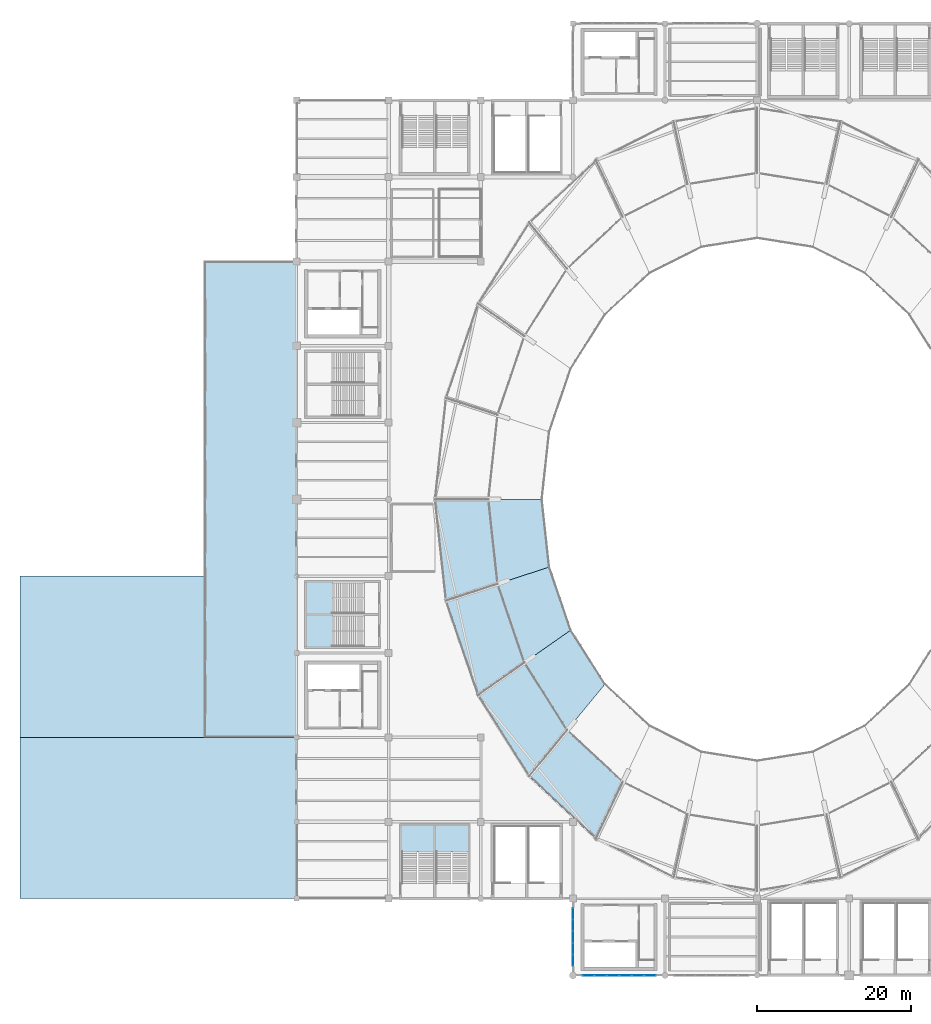
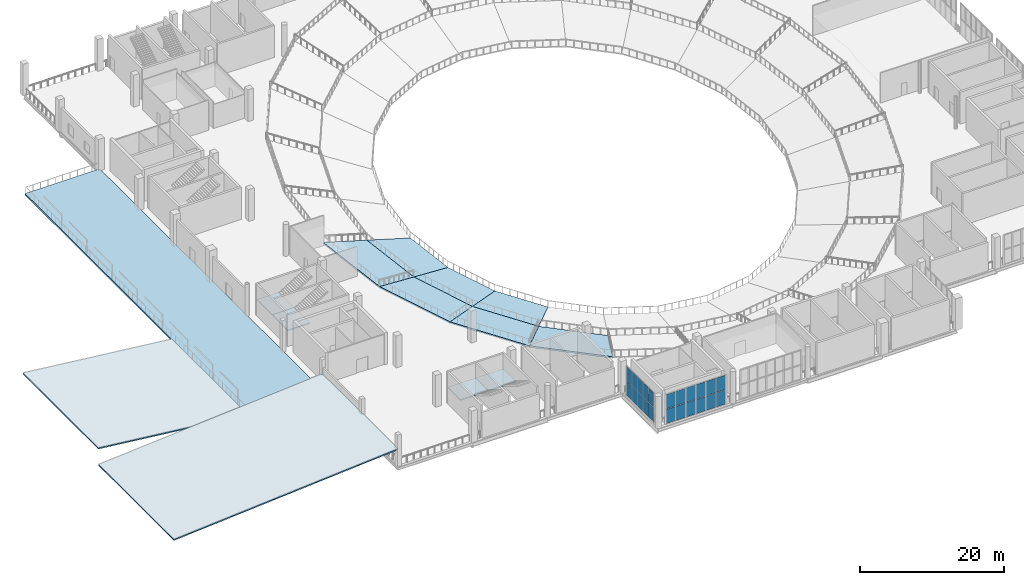
# One storey, part 43 of 74: 22 plates, 14 slabs, 6 elements without a shape of their own.
"""IFC4 building model written with IfcOpenShell, lengths in metres."""

from ifc_helpers import new_model, si_unit, direction, frame, origin, origin_2d, place, context, subcontext, project, spatial, polyline, rectangle, outline, extrude, material, layer, layer_set, type_object, element, aggregate, save


model = new_model("IFC4")

# Units and contexts
model_context = context("Model", 3, precision=1e-05, world=origin(), true_north=direction((0.0, 1.0)))
body_context = subcontext(model_context, "Body", "Model", "MODEL_VIEW")
ifc_project = project(units=[si_unit("LENGTHUNIT", "METRE"), si_unit("AREAUNIT", "SQUARE_METRE"), si_unit("VOLUMEUNIT", "CUBIC_METRE"), si_unit("PLANEANGLEUNIT", "RADIAN"), si_unit("MASSUNIT", "GRAM", prefix="KILO")], contexts=[model_context])

# Site, building, storey
site_placement = place(None, origin())
site = spatial("IfcSite", under=ifc_project, at=site_placement, CompositionType="ELEMENT")
building_placement = place(site_placement, origin())
building = spatial("IfcBuilding", under=site, at=building_placement, Name="Brinegate Civic Arena", CompositionType="ELEMENT")
storey_placement = place(building_placement, frame((0.0, 0.0, 19.199951171875)))
storey = spatial("IfcBuildingStorey", under=building, at=storey_placement, Name="L04", CompositionType="ELEMENT", Elevation=19.199951171875)

# Curtain wall, plates
ifc_material_1 = material(Name="Marine grade aluminium", Category="aluminium")
ifc_layer_1 = layer(ifc_material_1, 0.25, Name="Marine grade aluminium")
ifc_layer_set_1 = layer_set([ifc_layer_1], Name="Marine grade aluminium")
curtain_wall_type = type_object("IfcCurtainWallType", Name="CW-PORTAL-SOUTH-02", PredefinedType="USERDEFINED", material=ifc_layer_set_1)
curtain_wall_1_placement = place(storey_placement, origin())
curtain_wall_1 = element("IfcCurtainWall", 1, at=curtain_wall_1_placement, inside=storey, type_object=curtain_wall_type, Name="Curtain Wall CWA-150", ObjectType="PORTAL CURTAIN WALL", PredefinedType="USERDEFINED")
ifc_material_2 = material(Name="Hurricane laminated low-E glass", Category="glass")
ifc_layer_2 = layer(ifc_material_2, 0.028076171875, Name="Hurricane laminated low-E glass")
ifc_layer_set_2 = layer_set([ifc_layer_2], Name="Hurricane laminated low-E glass")
plate_type_1 = type_object("IfcPlateType", Name="CW-PANEL-GLAZED-28", PredefinedType="CURTAIN_PANEL", material=ifc_layer_set_2)
plate_1_placement = place(storey_placement, frame((84.0, 1.965087890625, 0.06494140625), z_axis=(0.0, 0.0, 1.0), x_axis=(0.0, 1.0, 0.0)))
plate_1 = element("IfcPlate", 2, at=plate_1_placement, type_object=plate_type_1, Name="CWA-150 panel 1.1", PredefinedType="CURTAIN_PANEL", context=body_context, shape_type="SweptSolid", body=[
    extrude(rectangle(XDim=1.427978515625, YDim=0.028076171875, at=origin_2d()), origin(), (0.0, 0.0, 1.0), 2.4375),
])
plate_2_placement = place(storey_placement, frame((84.0, 1.965087890625, 2.567626953125), z_axis=(0.0, 0.0, 1.0), x_axis=(0.0, 1.0, 0.0)))
plate_2 = element("IfcPlate", 3, at=plate_2_placement, type_object=plate_type_1, Name="CWA-150 panel 1.2", PredefinedType="CURTAIN_PANEL", context=body_context, shape_type="SweptSolid", body=[
    extrude(rectangle(XDim=1.427978515625, YDim=0.028076171875, at=origin_2d()), origin(), (0.0, 0.0, 1.0), 2.4375),
])
plate_3_placement = place(storey_placement, frame((84.0, 3.474365234375, 0.06494140625), z_axis=(0.0, 0.0, 1.0), x_axis=(0.0, 1.0, 0.0)))
plate_3 = element("IfcPlate", 4, at=plate_3_placement, type_object=plate_type_1, Name="CWA-150 panel 2.1", PredefinedType="CURTAIN_PANEL", context=body_context, shape_type="SweptSolid", body=[
    extrude(rectangle(XDim=1.460693359375, YDim=0.028076171875, at=origin_2d()), origin(), (0.0, 0.0, 1.0), 2.4375),
])
plate_4_placement = place(storey_placement, frame((84.0, 3.474365234375, 2.567626953125), z_axis=(0.0, 0.0, 1.0), x_axis=(0.0, 1.0, 0.0)))
plate_4 = element("IfcPlate", 5, at=plate_4_placement, type_object=plate_type_1, Name="CWA-150 panel 2.2", PredefinedType="CURTAIN_PANEL", context=body_context, shape_type="SweptSolid", body=[
    extrude(rectangle(XDim=1.460693359375, YDim=0.028076171875, at=origin_2d()), origin(), (0.0, 0.0, 1.0), 2.4375),
])
plate_5_placement = place(storey_placement, frame((84.0, 5.0, 0.06494140625), z_axis=(0.0, 0.0, 1.0), x_axis=(0.0, 1.0, 0.0)))
plate_5 = element("IfcPlate", 6, at=plate_5_placement, type_object=plate_type_1, Name="CWA-150 panel 3.1", PredefinedType="CURTAIN_PANEL", context=body_context, shape_type="SweptSolid", body=[
    extrude(rectangle(XDim=1.460693359375, YDim=0.028076171875, at=origin_2d()), origin(), (0.0, 0.0, 1.0), 2.4375),
])
plate_6_placement = place(storey_placement, frame((84.0, 5.0, 2.567626953125), z_axis=(0.0, 0.0, 1.0), x_axis=(0.0, 1.0, 0.0)))
plate_6 = element("IfcPlate", 7, at=plate_6_placement, type_object=plate_type_1, Name="CWA-150 panel 3.2", PredefinedType="CURTAIN_PANEL", context=body_context, shape_type="SweptSolid", body=[
    extrude(rectangle(XDim=1.460693359375, YDim=0.028076171875, at=origin_2d()), origin(), (0.0, 0.0, 1.0), 2.4375),
])
plate_7_placement = place(storey_placement, frame((84.0, 6.525634765625, 0.06494140625), z_axis=(0.0, 0.0, 1.0), x_axis=(0.0, 1.0, 0.0)))
plate_7 = element("IfcPlate", 8, at=plate_7_placement, type_object=plate_type_1, Name="CWA-150 panel 4.1", PredefinedType="CURTAIN_PANEL", context=body_context, shape_type="SweptSolid", body=[
    extrude(rectangle(XDim=1.460693359375, YDim=0.028076171875, at=origin_2d()), origin(), (0.0, 0.0, 1.0), 2.4375),
])
plate_8_placement = place(storey_placement, frame((84.0, 6.525634765625, 2.567626953125), z_axis=(0.0, 0.0, 1.0), x_axis=(0.0, 1.0, 0.0)))
plate_8 = element("IfcPlate", 9, at=plate_8_placement, type_object=plate_type_1, Name="CWA-150 panel 4.2", PredefinedType="CURTAIN_PANEL", context=body_context, shape_type="SweptSolid", body=[
    extrude(rectangle(XDim=1.460693359375, YDim=0.028076171875, at=origin_2d()), origin(), (0.0, 0.0, 1.0), 2.4375),
])
plate_9_placement = place(storey_placement, frame((84.0, 8.034912109375, 0.06494140625), z_axis=(0.0, 0.0, 1.0), x_axis=(0.0, 1.0, 0.0)))
plate_9 = element("IfcPlate", 10, at=plate_9_placement, type_object=plate_type_1, Name="CWA-150 panel 5.1", PredefinedType="CURTAIN_PANEL", context=body_context, shape_type="SweptSolid", body=[
    extrude(rectangle(XDim=1.427978515625, YDim=0.028076171875, at=origin_2d()), origin(), (0.0, 0.0, 1.0), 2.4375),
])
plate_10_placement = place(storey_placement, frame((84.0, 8.034912109375, 2.567626953125), z_axis=(0.0, 0.0, 1.0), x_axis=(0.0, 1.0, 0.0)))
plate_10 = element("IfcPlate", 11, at=plate_10_placement, type_object=plate_type_1, Name="CWA-150 panel 5.2", PredefinedType="CURTAIN_PANEL", context=body_context, shape_type="SweptSolid", body=[
    extrude(rectangle(XDim=1.427978515625, YDim=0.028076171875, at=origin_2d()), origin(), (0.0, 0.0, 1.0), 2.4375),
])
aggregate(curtain_wall_1, [plate_1, plate_2, plate_3, plate_4, plate_5, plate_6, plate_7, plate_8, plate_9, plate_10])

curtain_wall_2_placement = place(storey_placement, origin())
curtain_wall_2 = element("IfcCurtainWall", 12, at=curtain_wall_2_placement, inside=storey, type_object=curtain_wall_type, Name="Curtain Wall CWA-145", ObjectType="PORTAL CURTAIN WALL", PredefinedType="USERDEFINED")
ifc_layer_3 = layer(ifc_material_2, 0.0419921875, Name="Hurricane laminated low-E glass")
ifc_layer_set_3 = layer_set([ifc_layer_3], Name="Hurricane laminated low-E glass")
plate_type_2 = type_object("IfcPlateType", Name="CW-PANEL-SPANDREL-42", PredefinedType="CURTAIN_PANEL", material=ifc_layer_set_3)
plate_11_placement = place(storey_placement, frame((86.01416015625, 0.0, 0.06494140625), z_axis=(0.0, 0.0, 1.0), x_axis=(1.0, 0.0, 0.0)))
plate_11 = element("IfcPlate", 13, at=plate_11_placement, type_object=plate_type_2, Name="CWA-145 panel 1.1", PredefinedType="CURTAIN_PANEL", context=body_context, shape_type="SweptSolid", body=[
    extrude(rectangle(XDim=1.496337890625, YDim=0.0419921875, at=origin_2d()), origin(), (0.0, 0.0, 1.0), 2.4375),
])
plate_12_placement = place(storey_placement, frame((86.01416015625, 0.0, 2.567626953125), z_axis=(0.0, 0.0, 1.0), x_axis=(1.0, 0.0, 0.0)))
plate_12 = element("IfcPlate", 14, at=plate_12_placement, type_object=plate_type_2, Name="CWA-145 panel 1.2", PredefinedType="CURTAIN_PANEL", context=body_context, shape_type="SweptSolid", body=[
    extrude(rectangle(XDim=1.496337890625, YDim=0.0419921875, at=origin_2d()), origin(), (0.0, 0.0, 1.0), 2.4375),
])
plate_13_placement = place(storey_placement, frame((87.610595703125, 0.0, 0.06494140625), z_axis=(0.0, 0.0, 1.0), x_axis=(1.0, 0.0, 0.0)))
plate_13 = element("IfcPlate", 15, at=plate_13_placement, type_object=plate_type_2, Name="CWA-145 panel 2.1", PredefinedType="CURTAIN_PANEL", context=body_context, shape_type="SweptSolid", body=[
    extrude(rectangle(XDim=1.536376953125, YDim=0.0419921875, at=origin_2d()), origin(), (0.0, 0.0, 1.0), 2.4375),
])
plate_14_placement = place(storey_placement, frame((87.610595703125, 0.0, 2.567626953125), z_axis=(0.0, 0.0, 1.0), x_axis=(1.0, 0.0, 0.0)))
plate_14 = element("IfcPlate", 16, at=plate_14_placement, type_object=plate_type_2, Name="CWA-145 panel 2.2", PredefinedType="CURTAIN_PANEL", context=body_context, shape_type="SweptSolid", body=[
    extrude(rectangle(XDim=1.536376953125, YDim=0.0419921875, at=origin_2d()), origin(), (0.0, 0.0, 1.0), 2.4375),
])
plate_15_placement = place(storey_placement, frame((89.226806640625, 0.0, 0.06494140625), z_axis=(0.0, 0.0, 1.0), x_axis=(1.0, 0.0, 0.0)))
plate_15 = element("IfcPlate", 17, at=plate_15_placement, type_object=plate_type_2, Name="CWA-145 panel 3.1", PredefinedType="CURTAIN_PANEL", context=body_context, shape_type="SweptSolid", body=[
    extrude(rectangle(XDim=1.536376953125, YDim=0.0419921875, at=origin_2d()), origin(), (0.0, 0.0, 1.0), 2.4375),
])
plate_16_placement = place(storey_placement, frame((89.226806640625, 0.0, 2.567626953125), z_axis=(0.0, 0.0, 1.0), x_axis=(1.0, 0.0, 0.0)))
plate_16 = element("IfcPlate", 18, at=plate_16_placement, type_object=plate_type_2, Name="CWA-145 panel 3.2", PredefinedType="CURTAIN_PANEL", context=body_context, shape_type="SweptSolid", body=[
    extrude(rectangle(XDim=1.536376953125, YDim=0.0419921875, at=origin_2d()), origin(), (0.0, 0.0, 1.0), 2.4375),
])
plate_17_placement = place(storey_placement, frame((90.84326171875, 0.0, 0.06494140625), z_axis=(0.0, 0.0, 1.0), x_axis=(1.0, 0.0, 0.0)))
plate_17 = element("IfcPlate", 19, at=plate_17_placement, type_object=plate_type_2, Name="CWA-145 panel 4.1", PredefinedType="CURTAIN_PANEL", context=body_context, shape_type="SweptSolid", body=[
    extrude(rectangle(XDim=1.536376953125, YDim=0.0419921875, at=origin_2d()), origin(), (0.0, 0.0, 1.0), 2.4375),
])
plate_18_placement = place(storey_placement, frame((90.84326171875, 0.0, 2.567626953125), z_axis=(0.0, 0.0, 1.0), x_axis=(1.0, 0.0, 0.0)))
plate_18 = element("IfcPlate", 20, at=plate_18_placement, type_object=plate_type_2, Name="CWA-145 panel 4.2", PredefinedType="CURTAIN_PANEL", context=body_context, shape_type="SweptSolid", body=[
    extrude(rectangle(XDim=1.536376953125, YDim=0.0419921875, at=origin_2d()), origin(), (0.0, 0.0, 1.0), 2.4375),
])
plate_19_placement = place(storey_placement, frame((92.45947265625, 0.0, 0.06494140625), z_axis=(0.0, 0.0, 1.0), x_axis=(1.0, 0.0, 0.0)))
plate_19 = element("IfcPlate", 21, at=plate_19_placement, type_object=plate_type_2, Name="CWA-145 panel 5.1", PredefinedType="CURTAIN_PANEL", context=body_context, shape_type="SweptSolid", body=[
    extrude(rectangle(XDim=1.536376953125, YDim=0.0419921875, at=origin_2d()), origin(), (0.0, 0.0, 1.0), 2.4375),
])
plate_20_placement = place(storey_placement, frame((92.45947265625, 0.0, 2.567626953125), z_axis=(0.0, 0.0, 1.0), x_axis=(1.0, 0.0, 0.0)))
plate_20 = element("IfcPlate", 22, at=plate_20_placement, type_object=plate_type_2, Name="CWA-145 panel 5.2", PredefinedType="CURTAIN_PANEL", context=body_context, shape_type="SweptSolid", body=[
    extrude(rectangle(XDim=1.536376953125, YDim=0.0419921875, at=origin_2d()), origin(), (0.0, 0.0, 1.0), 2.4375),
])
plate_21_placement = place(storey_placement, frame((94.055908203125, 0.0, 0.06494140625), z_axis=(0.0, 0.0, 1.0), x_axis=(1.0, 0.0, 0.0)))
plate_21 = element("IfcPlate", 23, at=plate_21_placement, type_object=plate_type_2, Name="CWA-145 panel 6.1", PredefinedType="CURTAIN_PANEL", context=body_context, shape_type="SweptSolid", body=[
    extrude(rectangle(XDim=1.496337890625, YDim=0.0419921875, at=origin_2d()), origin(), (0.0, 0.0, 1.0), 2.4375),
])
plate_22_placement = place(storey_placement, frame((94.055908203125, 0.0, 2.567626953125), z_axis=(0.0, 0.0, 1.0), x_axis=(1.0, 0.0, 0.0)))
plate_22 = element("IfcPlate", 24, at=plate_22_placement, type_object=plate_type_2, Name="CWA-145 panel 6.2", PredefinedType="CURTAIN_PANEL", context=body_context, shape_type="SweptSolid", body=[
    extrude(rectangle(XDim=1.496337890625, YDim=0.0419921875, at=origin_2d()), origin(), (0.0, 0.0, 1.0), 2.4375),
])
aggregate(curtain_wall_2, [plate_11, plate_12, plate_13, plate_14, plate_15, plate_16, plate_17, plate_18, plate_19, plate_20, plate_21, plate_22])

# Stair, slab
ifc_material_3 = material(Name="Concrete C40/50", Category="concrete")
stair_type_1 = type_object("IfcStairType", Name="STAIR-EXIT-3850", PredefinedType="HALF_TURN_STAIR", material=ifc_material_3)
stair_1_placement = place(storey_placement, origin())
stair_1 = element("IfcStair", 25, at=stair_1_placement, inside=storey, type_object=stair_type_1, Name="Protected Exit Stair ST-02A (L04)", PredefinedType="HALF_TURN_STAIR")
ifc_layer_4 = layer(ifc_material_3, 0.179931640625, Name="Concrete C40/50")
ifc_layer_set_4 = layer_set([ifc_layer_4], Name="Concrete C40/50")
slab_type_1 = type_object("IfcSlabType", Name="SLAB-LANDING-180", PredefinedType="LANDING", material=ifc_layer_set_4)
slab_1_placement = place(storey_placement, frame((0.0, 0.0, 2.52001953125)))
slab_1 = element("IfcSlab", 26, at=slab_1_placement, type_object=slab_type_1, Name="ST-02A landing 1", PredefinedType="LANDING", context=body_context, shape_type="SweptSolid", body=[
    extrude(outline(polyline([(61.544921875, 16.090087890625), (66.0048828125, 16.090087890625), (66.0048828125, 19.60009765625), (61.544921875, 19.60009765625), (61.544921875, 16.090087890625)])), origin(), (0.0, 0.0, 1.0), 0.179931640625),
])
aggregate(stair_1, [slab_1])

stair_type_2 = type_object("IfcStairType", Name="STAIR-EXIT-3700", PredefinedType="HALF_TURN_STAIR", material=ifc_material_3)
stair_2_placement = place(storey_placement, origin())
stair_2 = element("IfcStair", 27, at=stair_2_placement, inside=storey, type_object=stair_type_2, Name="Protected Exit Stair ST-02B (L04)", PredefinedType="HALF_TURN_STAIR")
slab_2_placement = place(storey_placement, frame((0.0, 0.0, 2.52001953125)))
slab_2 = element("IfcSlab", 28, at=slab_2_placement, type_object=slab_type_1, Name="ST-02B landing 1", PredefinedType="LANDING", context=body_context, shape_type="SweptSolid", body=[
    extrude(outline(polyline([(65.9951171875, 16.090087890625), (70.455078125, 16.090087890625), (70.455078125, 19.60009765625), (65.9951171875, 19.60009765625), (65.9951171875, 16.090087890625)])), origin(), (0.0, 0.0, 1.0), 0.179931640625),
])
aggregate(stair_2, [slab_2])

stair_3_placement = place(storey_placement, origin())
stair_3 = element("IfcStair", 29, at=stair_3_placement, inside=storey, type_object=stair_type_1, Name="Protected Exit Stair ST-08A (L04)", PredefinedType="HALF_TURN_STAIR")
slab_3_placement = place(storey_placement, frame((0.0, 0.0, 2.52001953125)))
slab_3 = element("IfcSlab", 30, at=slab_3_placement, type_object=slab_type_1, Name="ST-08A landing 1", PredefinedType="LANDING", context=body_context, shape_type="SweptSolid", body=[
    extrude(outline(polyline([(49.199951171875, 42.695068359375), (52.7099609375, 42.695068359375), (52.7099609375, 47.0048828125), (49.199951171875, 47.0048828125), (49.199951171875, 42.695068359375)])), origin(), (0.0, 0.0, 1.0), 0.179931640625),
])
aggregate(stair_3, [slab_3])

stair_4_placement = place(storey_placement, origin())
stair_4 = element("IfcStair", 31, at=stair_4_placement, inside=storey, type_object=stair_type_2, Name="Protected Exit Stair ST-08B (L04)", PredefinedType="HALF_TURN_STAIR")
slab_4_placement = place(storey_placement, frame((0.0, 0.0, 2.52001953125)))
slab_4 = element("IfcSlab", 32, at=slab_4_placement, type_object=slab_type_1, Name="ST-08B landing 1", PredefinedType="LANDING", context=body_context, shape_type="SweptSolid", body=[
    extrude(outline(polyline([(49.199951171875, 46.9951171875), (52.7099609375, 46.9951171875), (52.7099609375, 51.304931640625), (49.199951171875, 51.304931640625), (49.199951171875, 46.9951171875)])), origin(), (0.0, 0.0, 1.0), 0.179931640625),
])
aggregate(stair_4, [slab_4])

# Slabs
ifc_layer_5 = layer(ifc_material_3, 0.280029296875, Name="Concrete C40/50")
ifc_layer_set_5 = layer_set([ifc_layer_5], Name="Concrete C40/50")
slab_type_2 = type_object("IfcSlabType", Name="SLAB-LOGGIA-280", PredefinedType="FLOOR", material=ifc_layer_set_5)
slab_5_placement = place(storey_placement, frame((0.0, 0.0, -0.280029296875)))
element("IfcSlab", 33, at=slab_5_placement, inside=storey, type_object=slab_type_2, Name="Outdoor Storm-Louvred Harbour View Loggia", PredefinedType="FLOOR", context=body_context, shape_type="SweptSolid", body=[
    extrude(outline(polyline([(36.0, 31.0), (48.0, 31.0), (48.0, 93.0), (36.0, 93.0), (36.0, 31.0)])), origin(), (0.0, 0.0, 1.0), 0.280029296875),
])
ifc_layer_6 = layer(ifc_material_3, 0.199951171875, Name="Concrete C40/50")
ifc_layer_set_6 = layer_set([ifc_layer_6], Name="Concrete C40/50")
slab_type_3 = type_object("IfcSlabType", Name="SLAB-ROOF-WING-200", PredefinedType="ROOF", material=ifc_layer_set_6)
slab_6_placement = place(storey_placement, frame((12.0, 10.0, 0.0), z_axis=(-0.07754493013, 0.0, 0.996988858419), x_axis=(0.996988858419, 0.0, 0.07754493013)))
element("IfcSlab", 34, at=slab_6_placement, inside=storey, type_object=slab_type_3, Name="Sloped Roof Slab SLAB-ROOF-WHALL-1", PredefinedType="ROOF", context=body_context, shape_type="SweptSolid", body=[
    extrude(outline(polyline([(0.0, 0.0), (36.10872849381274, 0.0), (36.10872849381274, 21.0), (0.0, 21.0), (0.0, 0.0)])), origin(), (0.0, 0.0, -1.0), 0.199951171875),
])
slab_7_placement = place(storey_placement, frame((12.0, 31.0, 2.800048828125), z_axis=(0.108885751947, 0.0, 0.994054270663), x_axis=(0.994054270663, 0.0, -0.108885751947)))
element("IfcSlab", 35, at=slab_7_placement, inside=storey, type_object=slab_type_3, Name="Sloped Roof Slab SLAB-ROOF-WHALL-2", PredefinedType="ROOF", context=body_context, shape_type="SweptSolid", body=[
    extrude(outline(polyline([(0.0, 0.0), (24.0629939239143, 0.0), (24.0629939239143, 21.0), (0.0, 21.0), (0.0, 0.0)])), origin(), (0.0, 0.0, -1.0), 0.199951171875),
])
ifc_material_4 = material(Name="Precast concrete C45/55", Category="concrete")
ifc_layer_7 = layer(ifc_material_4, 0.239990234375, Name="Precast concrete C45/55")
ifc_layer_set_7 = layer_set([ifc_layer_7], Name="Precast concrete C45/55")
slab_type_4 = type_object("IfcSlabType", Name="SLAB-TIER-UPR-240", PredefinedType="USERDEFINED", material=ifc_layer_set_7)
slab_8_placement = place(storey_placement, frame((80.0, 62.0, -4.14990234375), z_axis=(0.284072083062, 0.030806204246, 0.958307899062), x_axis=(0.107790365794, -0.994173645294, 6.76466e-06)))
element("IfcSlab", 36, at=slab_8_placement, inside=storey, type_object=slab_type_4, Name="Stand Upper Tier Bay A13", ObjectType="SEATING TIER", PredefinedType="USERDEFINED", context=body_context, shape_type="SweptSolid", body=[
    extrude(outline(polyline([(0.0, 0.0), (8.851619578644632, 3.3306690738754696e-16), (10.309997901560134, -7.261492705824252), (-0.7545185242164245, -7.261964208007057), (0.0, 0.0)])), origin(), (0.0, 0.0, -1.0), 0.239990234375),
])
slab_9_placement = place(storey_placement, frame((73.0, 62.0, -2.074951171875), z_axis=(0.284049949651, 0.03079980286, 0.95831466557), x_axis=(0.107829835368, -0.994169365108, -9.223331e-06)))
element("IfcSlab", 37, at=slab_9_placement, inside=storey, type_object=slab_type_4, Name="Stand Upper Tier Bay B13", ObjectType="SEATING TIER", PredefinedType="USERDEFINED", context=body_context, shape_type="SweptSolid", body=[
    extrude(outline(polyline([(0.0, 0.0), (11.064516435486796, 0.0), (12.522453686431236, -7.262717839676469), (-0.7548279855393285, -7.261932047779832), (0.0, 0.0)])), origin(), (0.0, 0.0, -1.0), 0.239990234375),
])
slab_10_placement = place(storey_placement, frame((80.9541015625, 53.199951171875, -4.14990234375), z_axis=(0.265175122543, 0.090443275642, 0.959949044624), x_axis=(0.322821571366, -0.94645984228, -3.45992e-06)))
element("IfcSlab", 38, at=slab_10_placement, inside=storey, type_object=slab_type_4, Name="Stand Upper Tier Bay A14", ObjectType="SEATING TIER", PredefinedType="USERDEFINED", context=body_context, shape_type="SweptSolid", body=[
    extrude(outline(polyline([(0.0, 0.0), (8.663816075251372, 0.0), (10.729315077092284, -7.4060530862495755), (-0.10043397043609203, -7.405812357196214), (0.0, 0.0)])), origin(), (0.0, 0.0, -1.0), 0.239990234375),
])
slab_11_placement = place(storey_placement, frame((74.193115234375, 51.0, -2.074951171875), z_axis=(0.265151569583, 0.090444057287, 0.95995547691), x_axis=(0.322803587554, -0.946465976011, 1.0776591e-05)))
element("IfcSlab", 39, at=slab_11_placement, inside=storey, type_object=slab_type_4, Name="Stand Upper Tier Bay B14", ObjectType="SEATING TIER", PredefinedType="USERDEFINED", context=body_context, shape_type="SweptSolid", body=[
    extrude(outline(polyline([(0.0, 0.0), (10.829749049566503, -4.440892098500626e-16), (12.895412677908599, -7.406007170108031), (-0.1006633955025823, -7.406923674766176), (0.0, 0.0)])), origin(), (0.0, 0.0, -1.0), 0.239990234375),
])
slab_12_placement = place(storey_placement, frame((83.7509765625, 45.0, -4.14990234375), z_axis=(0.228380275315, 0.144315557119, 0.962816425816), x_axis=(0.534196640845, -0.845360248005, -1.39253e-06)))
element("IfcSlab", 40, at=slab_12_placement, inside=storey, type_object=slab_type_4, Name="Stand Upper Tier Bay A15", ObjectType="SEATING TIER", PredefinedType="USERDEFINED", context=body_context, shape_type="SweptSolid", body=[
    extrude(outline(polyline([(0.0, 0.0), (8.330169230017933, -4.440892098500626e-16), (10.766542398204125, -7.680608188009412), (0.35447186766840005, -7.680511580540342), (0.0, 0.0)])), origin(), (0.0, 0.0, -1.0), 0.239990234375),
])
slab_13_placement = place(storey_placement, frame((77.68896484375, 40.75, -2.074951171875), z_axis=(0.228386886849, 0.144328764162, 0.962812877849), x_axis=(0.534190832175, -0.845363918528, 8.463207e-06)))
element("IfcSlab", 41, at=slab_13_placement, inside=storey, type_object=slab_type_4, Name="Stand Upper Tier Bay B15", ObjectType="SEATING TIER", PredefinedType="USERDEFINED", context=body_context, shape_type="SweptSolid", body=[
    extrude(outline(polyline([(0.0, 0.0), (10.41207053058863, 0.0), (12.849036632193938, -7.679790729184092), (0.3545431297908013, -7.680508290775388), (0.0, 0.0)])), origin(), (0.0, 0.0, -1.0), 0.239990234375),
])
slab_14_placement = place(storey_placement, frame((83.2509765625, 31.947998046875, -2.074951171875), z_axis=(0.175858495648, 0.188736832132, 0.966153299278), x_axis=(0.731649908574, -0.681680578574, -8.921293e-06)))
element("IfcSlab", 42, at=slab_14_placement, inside=storey, type_object=slab_type_4, Name="Stand Upper Tier Bay B16", ObjectType="SEATING TIER", PredefinedType="USERDEFINED", context=body_context, shape_type="SweptSolid", body=[
    extrude(outline(polyline([(0.0, 0.0), (9.907754055427679, 1.7763568394002505e-15), (12.364868853571922, -8.04385272435158), (0.47597160253596965, -8.043098933745705), (0.0, 0.0)])), origin(), (0.0, 0.0, -1.0), 0.239990234375),
])

save(model, "model.ifc")
